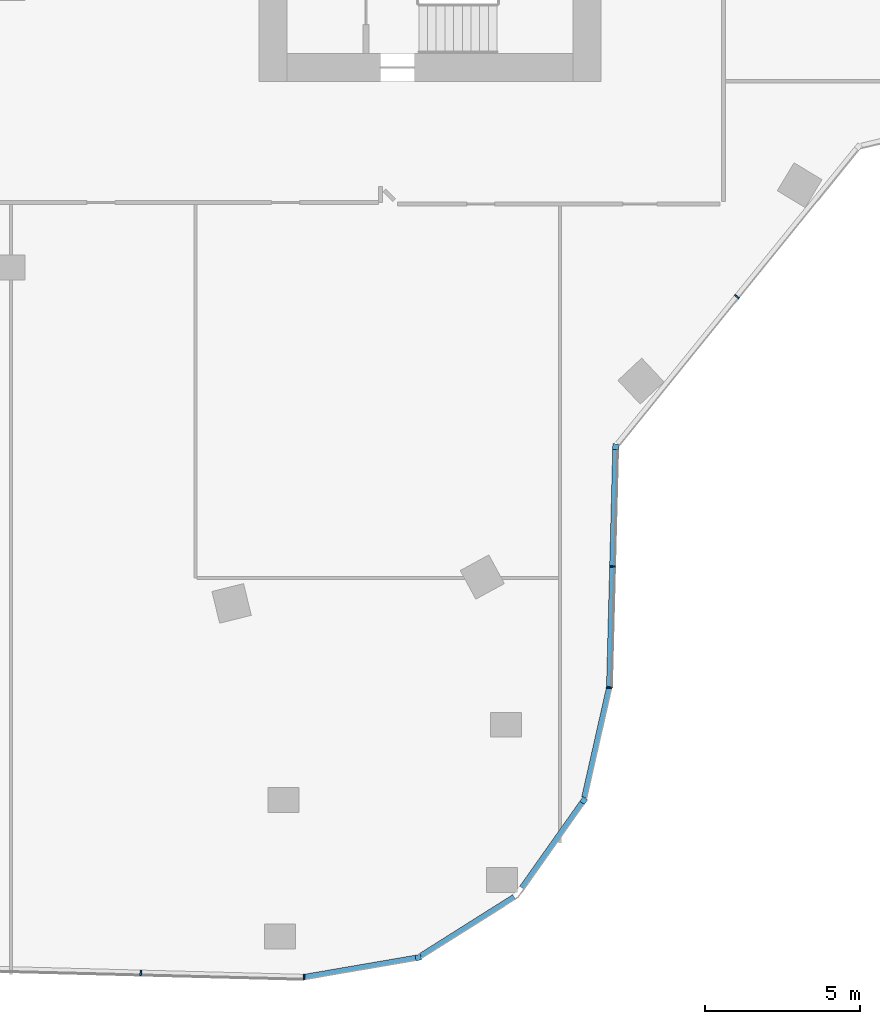
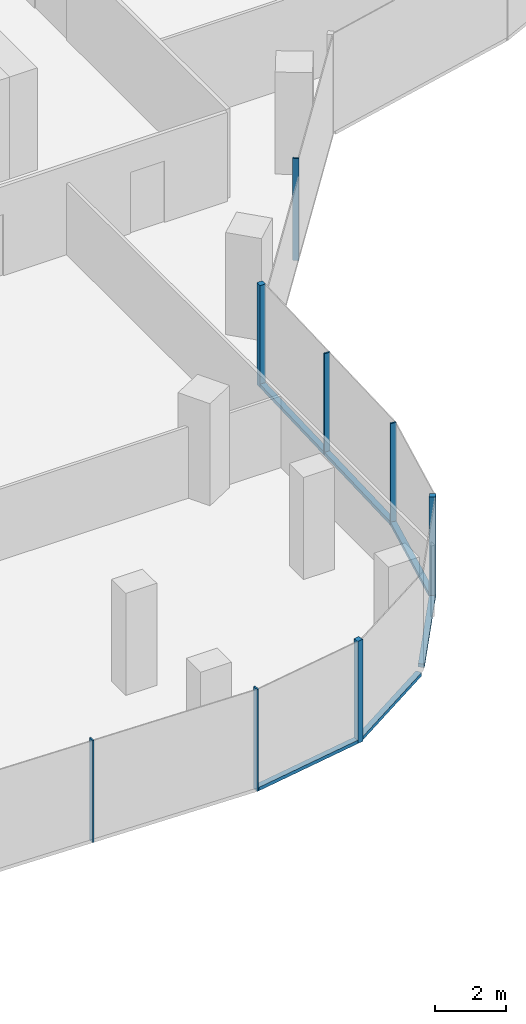
# One storey, part 5 of 23: 13 members, 7 elements without a shape of their own.
"""IFC4 building model written with IfcOpenShell, lengths in metres."""

from ifc_helpers import new_model, si_unit, direction, frame, origin, origin_2d, place, context, subcontext, project, spatial, rectangle, extrude, material, material_profile, profile_set, type_object, element, aggregate, save


model = new_model("IFC4")

# Units and contexts
model_context = context("Model", 3, precision=1e-05, world=origin(), true_north=direction((0.0, 1.0)))
body_context = subcontext(model_context, "Body", "Model", "MODEL_VIEW")
ifc_project = project(units=[si_unit("LENGTHUNIT", "METRE"), si_unit("AREAUNIT", "SQUARE_METRE"), si_unit("VOLUMEUNIT", "CUBIC_METRE"), si_unit("PLANEANGLEUNIT", "RADIAN"), si_unit("MASSUNIT", "GRAM", prefix="KILO")], contexts=[model_context])

# Site, building, storey
site_placement = place(None, origin())
site = spatial("IfcSite", under=ifc_project, at=site_placement, CompositionType="ELEMENT")
building_placement = place(site_placement, origin())
building = spatial("IfcBuilding", under=site, at=building_placement, Name="Orlundy Tower", CompositionType="ELEMENT")
storey_placement = place(building_placement, frame((0.0, 0.0, 224.5)))
storey = spatial("IfcBuildingStorey", under=building, at=storey_placement, Name="L59", CompositionType="ELEMENT", Elevation=224.5)

# Curtain wall, member
ifc_material_1 = material(Name="Aluminium bronze anodised", Category="aluminium")
curtain_wall_type = type_object("IfcCurtainWallType", Name="CW1 wall", PredefinedType="NOTDEFINED", material=ifc_material_1)
curtain_wall_1_placement = place(storey_placement, origin())
curtain_wall_1 = element("IfcCurtainWall", 1, at=curtain_wall_1_placement, inside=storey, type_object=curtain_wall_type, Name="CW1 run 018", PredefinedType="NOTDEFINED")
ifc_material_2 = material(Name="Aluminium bronze anodised", Category="aluminium")
ifc_material_profile_1 = material_profile(ifc_material_2, rectangle(XDim=0.179931640625, YDim=0.179931640625, at=origin_2d()), Name="CW1 corner post 180x180")
ifc_profile_set_1 = profile_set([ifc_material_profile_1], Name="Aluminium bronze anodised")
member_type_1 = type_object("IfcMemberType", Name="CW1 corner post 180x180", PredefinedType="MULLION", material=ifc_profile_set_1)
member_1_placement = place(storey_placement, frame((19.47412109375, -23.763916015625, -0.419921875), z_axis=(0.0, 0.0, 1.0), x_axis=(0.999659938041, -0.026076968311, 0.0)))
member_1 = element("IfcMember", 2, at=member_1_placement, type_object=member_type_1, Name="CW1 mullion 39", PredefinedType="MULLION", context=body_context, shape_type="SweptSolid", body=[
    extrude(rectangle(XDim=0.179931640625, YDim=0.179931640625, at=origin_2d()), origin(), (0.0, 0.0, 1.0), 3.5),
])

curtain_wall_2_placement = place(storey_placement, origin())
curtain_wall_2 = element("IfcCurtainWall", 3, at=curtain_wall_2_placement, inside=storey, type_object=curtain_wall_type, Name="CW1 run 020", PredefinedType="NOTDEFINED")
member_2_placement = place(storey_placement, frame((18.44775390625, -35.165283203125, -0.419921875), z_axis=(0.0, 0.0, 1.0), x_axis=(0.816548997883, -0.577276133281, 0.0)))
member_2 = element("IfcMember", 4, at=member_2_placement, type_object=member_type_1, Name="CW1 mullion 42", PredefinedType="MULLION", context=body_context, shape_type="SweptSolid", body=[
    extrude(rectangle(XDim=0.179931640625, YDim=0.179931640625, at=origin_2d()), origin(), (0.0, 0.0, 1.0), 3.5),
])

curtain_wall_3_placement = place(storey_placement, origin())
curtain_wall_3 = element("IfcCurtainWall", 5, at=curtain_wall_3_placement, inside=storey, type_object=curtain_wall_type, Name="CW1 run 022", PredefinedType="NOTDEFINED")
member_3_placement = place(storey_placement, frame((13.121826171875, -40.21875, -0.419921875), z_axis=(0.0, 0.0, 1.0), x_axis=(0.169428066085, -0.985542556373, 0.0)))
member_3 = element("IfcMember", 6, at=member_3_placement, type_object=member_type_1, Name="CW1 mullion 44", PredefinedType="MULLION", context=body_context, shape_type="SweptSolid", body=[
    extrude(rectangle(XDim=0.179931640625, YDim=0.179931640625, at=origin_2d()), origin(), (0.0, 0.0, 1.0), 3.5),
])

curtain_wall_4_placement = place(storey_placement, origin())
curtain_wall_4 = element("IfcCurtainWall", 7, at=curtain_wall_4_placement, inside=storey, type_object=curtain_wall_type, Name="CW1 run 017", PredefinedType="NOTDEFINED")
ifc_material_3 = material(Name="Aluminium bronze anodised", Category="aluminium")
ifc_material_profile_2 = material_profile(ifc_material_3, rectangle(XDim=0.179931640625, YDim=0.050048828125, at=origin_2d()), Name="CW1 mullion 50x180")
ifc_profile_set_2 = profile_set([ifc_material_profile_2], Name="Aluminium bronze anodised")
member_type_2 = type_object("IfcMemberType", Name="CW1 mullion 50x180", PredefinedType="MULLION", material=ifc_profile_set_2)
member_4_placement = place(storey_placement, frame((23.384033203125, -18.93603515625, -0.419921875), z_axis=(0.0, 0.0, 1.0), x_axis=(0.777119891969, -0.629352582823, 0.0)))
member_4 = element("IfcMember", 8, at=member_4_placement, type_object=member_type_2, Name="CW1 mullion 38", PredefinedType="MULLION", context=body_context, shape_type="SweptSolid", body=[
    extrude(rectangle(XDim=0.179931640625, YDim=0.050048828125, at=origin_2d()), origin(), (0.0, 0.0, 1.0), 3.5),
])
aggregate(curtain_wall_4, [member_4])

# Member
member_5_placement = place(storey_placement, frame((19.37353515625, -27.624267578125, -0.419921875), z_axis=(0.0, 0.0, 1.0), x_axis=(0.999659938041, -0.026076968311, 0.0)))
member_5 = element("IfcMember", 9, at=member_5_placement, type_object=member_type_2, Name="CW1 mullion 40", PredefinedType="MULLION", context=body_context, shape_type="SweptSolid", body=[
    extrude(rectangle(XDim=0.179931640625, YDim=0.050048828125, at=origin_2d()), origin(), (0.0, 0.0, 1.0), 3.5),
])

# Curtain wall, member
curtain_wall_5_placement = place(storey_placement, origin())
curtain_wall_5 = element("IfcCurtainWall", 10, at=curtain_wall_5_placement, inside=storey, type_object=curtain_wall_type, Name="CW1 run 019", PredefinedType="NOTDEFINED")
member_6_placement = place(storey_placement, frame((19.271728515625, -31.524169921875, -0.419921875), z_axis=(0.0, 0.0, 1.0), x_axis=(0.992283966435, -0.123986007099, 0.0)))
member_6 = element("IfcMember", 11, at=member_6_placement, type_object=member_type_2, Name="CW1 mullion 41", PredefinedType="MULLION", context=body_context, shape_type="SweptSolid", body=[
    extrude(rectangle(XDim=0.179931640625, YDim=0.050048828125, at=origin_2d()), origin(), (0.0, 0.0, 1.0), 3.5),
])

# Curtain wall, members
curtain_wall_6_placement = place(storey_placement, origin())
curtain_wall_6 = element("IfcCurtainWall", 12, at=curtain_wall_6_placement, inside=storey, type_object=curtain_wall_type, Name="CW1 run 023", PredefinedType="NOTDEFINED")
member_7_placement = place(storey_placement, frame((9.442626953125, -40.851318359375, -0.419921875), z_axis=(0.0, 0.0, 1.0), x_axis=(0.071965784853, -0.997407101344, 0.0)))
member_7 = element("IfcMember", 13, at=member_7_placement, type_object=member_type_2, Name="CW1 mullion 45", PredefinedType="MULLION", context=body_context, shape_type="SweptSolid", body=[
    extrude(rectangle(XDim=0.179931640625, YDim=0.050048828125, at=origin_2d()), origin(), (0.0, 0.0, 1.0), 3.5),
])
member_8_placement = place(storey_placement, frame((4.185302734375, -40.71337890625, -0.419921875), z_axis=(0.0, 0.0, 1.0), x_axis=(-0.026190222342, -0.999656977295, 0.0)))
member_8 = element("IfcMember", 14, at=member_8_placement, type_object=member_type_2, Name="CW1 mullion 46", PredefinedType="MULLION", context=body_context, shape_type="SweptSolid", body=[
    extrude(rectangle(XDim=0.179931640625, YDim=0.050048828125, at=origin_2d()), origin(), (0.0, 0.0, 1.0), 3.5),
])
aggregate(curtain_wall_6, [member_7, member_8])

# Member
ifc_material_4 = material(Name="Aluminium bronze anodised", Category="aluminium")
ifc_material_profile_3 = material_profile(ifc_material_4, rectangle(XDim=0.179931640625, YDim=0.1201171875, at=origin_2d()), Name="CW1 transom 180x120")
ifc_profile_set_3 = profile_set([ifc_material_profile_3], Name="Aluminium bronze anodised")
member_type_3 = type_object("IfcMemberType", Name="CW1 transom 180x120", PredefinedType="USERDEFINED", material=ifc_profile_set_3)
member_9_placement = place(storey_placement, frame((19.471923828125, -23.853759765625, -0.360107421875), z_axis=(-0.026080858581, -0.999659836552, 0.0), x_axis=(0.999659836552, -0.026080858581, 0.0)))
member_9 = element("IfcMember", 15, at=member_9_placement, type_object=member_type_3, Name="CW1 transom", ObjectType="TRANSOM", PredefinedType="USERDEFINED", context=body_context, shape_type="SweptSolid", body=[
    extrude(rectangle(XDim=0.179931640625, YDim=0.1201171875, at=origin_2d()), origin(), (0.0, 0.0, 1.0), 7.64794921875),
])

aggregate(curtain_wall_1, [member_1, member_5, member_9])

member_10_placement = place(storey_placement, frame((19.26611328125, -31.548828125, -0.360107421875), z_axis=(-0.220709143536, -0.975339671068, 0.0), x_axis=(0.975339671068, -0.220709143536, 0.0)))
member_10 = element("IfcMember", 16, at=member_10_placement, type_object=member_type_3, Name="CW1 transom", ObjectType="TRANSOM", PredefinedType="USERDEFINED", context=body_context, shape_type="SweptSolid", body=[
    extrude(rectangle(XDim=0.179931640625, YDim=0.1201171875, at=origin_2d()), origin(), (0.0, 0.0, 1.0), 3.610595703125),
])

aggregate(curtain_wall_5, [member_6, member_10])

member_11_placement = place(storey_placement, frame((18.395751953125, -35.23876953125, -0.360107421875), z_axis=(-0.577269314275, -0.816553818678, 0.0), x_axis=(0.816553818678, -0.577269314275, 0.0)))
member_11 = element("IfcMember", 17, at=member_11_placement, type_object=member_type_3, Name="CW1 transom", ObjectType="TRANSOM", PredefinedType="USERDEFINED", context=body_context, shape_type="SweptSolid", body=[
    extrude(rectangle(XDim=0.179931640625, YDim=0.1201171875, at=origin_2d()), origin(), (0.0, 0.0, 1.0), 3.3515625),
])

aggregate(curtain_wall_2, [member_2, member_11])

# Curtain wall, member
curtain_wall_7_placement = place(storey_placement, origin())
curtain_wall_7 = element("IfcCurtainWall", 18, at=curtain_wall_7_placement, inside=storey, type_object=curtain_wall_type, Name="CW1 run 021", PredefinedType="NOTDEFINED")
member_12_placement = place(storey_placement, frame((16.21044921875, -38.27001953125, -0.360107421875), z_axis=(-0.845725479205, -0.533618228534, 0.0), x_axis=(0.533618228534, -0.845725479205, 0.0)))
member_12 = element("IfcMember", 19, at=member_12_placement, type_object=member_type_3, Name="CW1 transom", ObjectType="TRANSOM", PredefinedType="USERDEFINED", context=body_context, shape_type="SweptSolid", body=[
    extrude(rectangle(XDim=0.179931640625, YDim=0.1201171875, at=origin_2d()), origin(), (0.0, 0.0, 1.0), 3.554443359375),
])
aggregate(curtain_wall_7, [member_12])

# Member
member_13_placement = place(storey_placement, frame((13.033203125, -40.23388671875, -0.360107421875), z_axis=(-0.985542201678, -0.16943012929, 0.0), x_axis=(0.16943012929, -0.985542201678, 0.0)))
member_13 = element("IfcMember", 20, at=member_13_placement, type_object=member_type_3, Name="CW1 transom", ObjectType="TRANSOM", PredefinedType="USERDEFINED", context=body_context, shape_type="SweptSolid", body=[
    extrude(rectangle(XDim=0.179931640625, YDim=0.1201171875, at=origin_2d()), origin(), (0.0, 0.0, 1.0), 3.6181640625),
])

aggregate(curtain_wall_3, [member_3, member_13])

save(model, "model.ifc")
